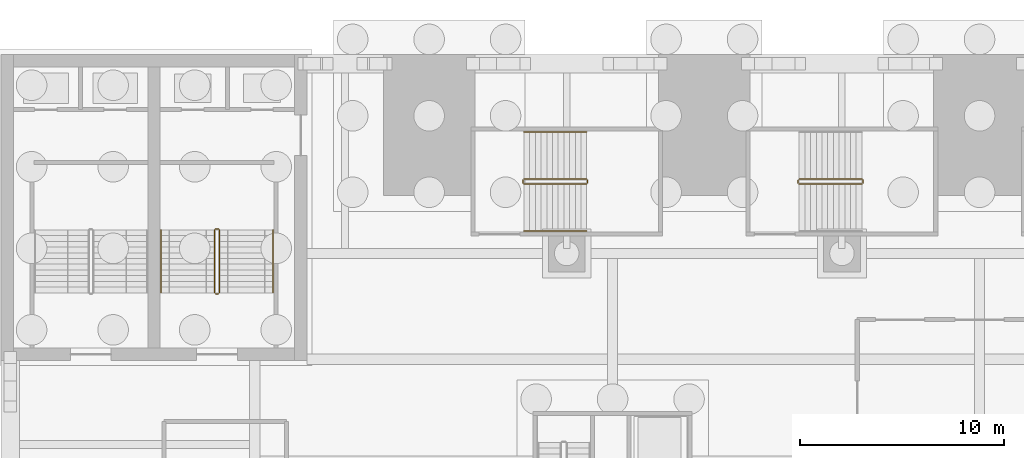
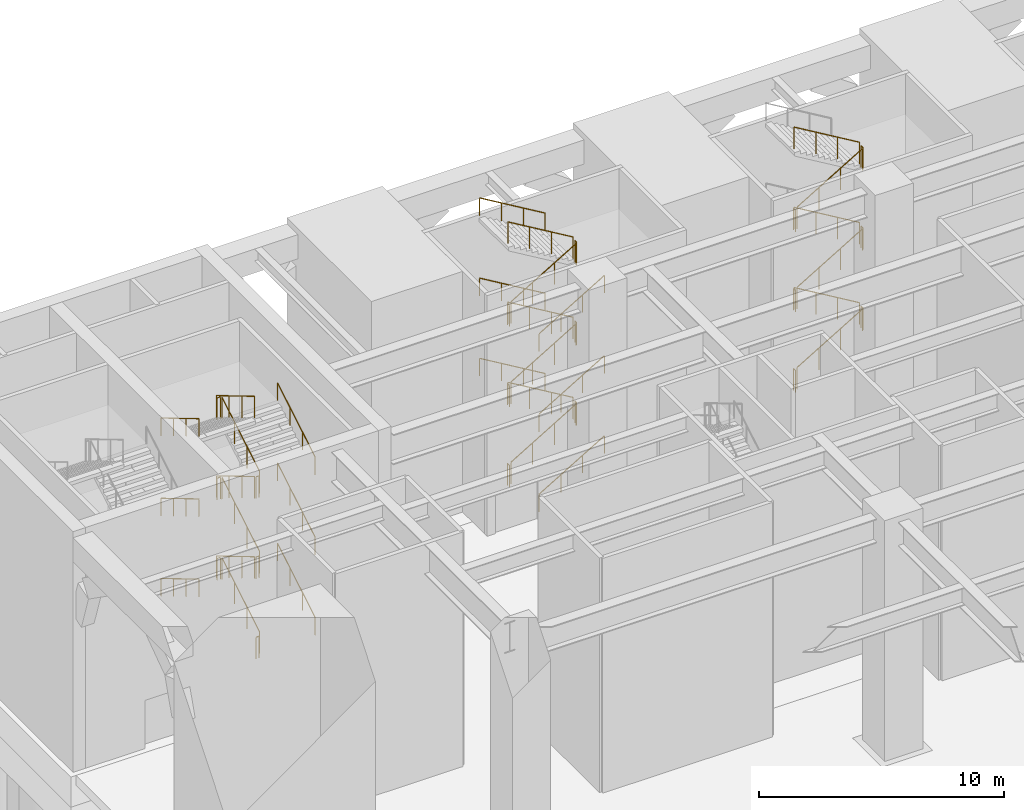
# One storey, part 31 of 34: 5 railings.
"""IFC4 building model written with IfcOpenShell, lengths in metres."""

from ifc_helpers import new_model, si_unit, direction, frame, origin, origin_2d, place, context, subcontext, project, spatial, circle, extrude, material, type_object, element, save


model = new_model("IFC4")

# Units and contexts
model_context = context("Model", 3, precision=1e-05, world=origin(), true_north=direction((0.0, 1.0)))
body_context = subcontext(model_context, "Body", "Model", "MODEL_VIEW")
ifc_project = project(units=[si_unit("LENGTHUNIT", "METRE"), si_unit("AREAUNIT", "SQUARE_METRE"), si_unit("VOLUMEUNIT", "CUBIC_METRE"), si_unit("PLANEANGLEUNIT", "RADIAN"), si_unit("MASSUNIT", "GRAM", prefix="KILO")], contexts=[model_context])

# Site, building, storey
site_placement = place(None, origin())
site = spatial("IfcSite", under=ifc_project, at=site_placement, CompositionType="ELEMENT")
building_placement = place(site_placement, origin())
building = spatial("IfcBuilding", under=site, at=building_placement, Name="Corbelhall Arena Tower", CompositionType="ELEMENT")
storey_placement = place(building_placement, origin())
storey = spatial("IfcBuildingStorey", under=building, at=storey_placement, Name="L00", CompositionType="ELEMENT", Elevation=0.0)

# Railings
ifc_material = material(Name="Stainless steel A4", Category="steel")
railing_type_1 = type_object("IfcRailingType", Name="AR-STAIR-GUARD", PredefinedType="GUARDRAIL", material=ifc_material)
railing_1_placement = place(storey_placement, frame((-22.35009765625, 32.64990234375, 0.166748046875)))
element("IfcRailing", 1, at=railing_1_placement, inside=storey, type_object=railing_type_1, Name="L00 AS9 stair guards", PredefinedType="GUARDRAIL", context=body_context, shape_type="SweptSolid", body=[
    extrude(circle(Radius=0.02392578125, at=origin_2d()), frame((0.0, 0.0, 1.076171875), z_axis=(0.859308565015, 0.0, 0.511457515432), x_axis=(0.0, 1.0, 0.0)), (0.0, 0.0, 1.0), 3.58447265625),
    extrude(circle(Radius=0.02392578125, at=origin_2d()), frame((3.130126953125, 0.050048828125, 2.9091796875), z_axis=(0.0, 1.0, 0.0), x_axis=(-1.0, 0.0, 0.0)), (0.0, 0.0, 1.0), 0.150146484375),
    extrude(circle(Radius=0.02392578125, at=origin_2d()), frame((3.080078125, 0.25, 3.076171875), z_axis=(-0.859308565015, 0.0, 0.511457515432), x_axis=(0.0, -1.0, 0.0)), (0.0, 0.0, 1.0), 3.58447265625),
    extrude(circle(Radius=0.02392578125, at=origin_2d()), frame((-0.0498046875, 0.050048828125, 4.9091796875), z_axis=(0.0, 1.0, 0.0), x_axis=(-1.0, 0.0, 0.0)), (0.0, 0.0, 1.0), 0.150146484375),
    extrude(circle(Radius=0.02392578125, at=origin_2d()), frame((0.0, 0.0, 5.076171875), z_axis=(0.859308565015, 0.0, 0.511457515432), x_axis=(0.0, 1.0, 0.0)), (0.0, 0.0, 1.0), 3.58447265625),
    extrude(circle(Radius=0.02392578125, at=origin_2d()), frame((3.130126953125, 0.050048828125, 6.9091796875), z_axis=(0.0, 1.0, 0.0), x_axis=(-1.0, 0.0, 0.0)), (0.0, 0.0, 1.0), 0.150146484375),
    extrude(circle(Radius=0.02392578125, at=origin_2d()), frame((3.080078125, 0.25, 7.076171875), z_axis=(-0.859308565015, 0.0, 0.511457515432), x_axis=(0.0, -1.0, 0.0)), (0.0, 0.0, 1.0), 3.58447265625),
    extrude(circle(Radius=0.02392578125, at=origin_2d()), frame((-0.0498046875, 0.050048828125, 8.9091796875), z_axis=(0.0, 1.0, 0.0), x_axis=(-1.0, 0.0, 0.0)), (0.0, 0.0, 1.0), 0.150146484375),
    extrude(circle(Radius=0.02392578125, at=origin_2d()), frame((0.0, 0.0, 9.076171875), z_axis=(0.859308565015, 0.0, 0.511457515432), x_axis=(0.0, 1.0, 0.0)), (0.0, 0.0, 1.0), 3.58447265625),
    extrude(circle(Radius=0.02392578125, at=origin_2d()), frame((3.130126953125, 0.050048828125, 10.9091796875), z_axis=(0.0, 1.0, 0.0), x_axis=(-1.0, 0.0, 0.0)), (0.0, 0.0, 1.0), 0.150146484375),
    extrude(circle(Radius=0.02392578125, at=origin_2d()), frame((3.080078125, 0.25, 11.076171875), z_axis=(-0.859308565015, 0.0, 0.511457515432), x_axis=(0.0, -1.0, 0.0)), (0.0, 0.0, 1.0), 3.58447265625),
    extrude(circle(Radius=0.02392578125, at=origin_2d()), frame((-0.0498046875, 0.050048828125, 0.9091796875), z_axis=(0.0, 1.0, 0.0), x_axis=(-1.0, 0.0, 0.0)), (0.0, 0.0, 1.0), 0.150146484375),
    extrude(circle(Radius=0.02099609375, at=origin_2d()), origin(), (0.0, 0.0, 1.0), 1.052001953125),
    extrude(circle(Radius=0.02099609375, at=origin_2d()), frame((1.026611328125, 0.0, 0.611083984375)), (0.0, 0.0, 1.0), 1.052001953125),
    extrude(circle(Radius=0.02099609375, at=origin_2d()), frame((2.053466796875, 0.0, 1.22216796875)), (0.0, 0.0, 1.0), 1.052001953125),
    extrude(circle(Radius=0.02099609375, at=origin_2d()), frame((3.080078125, 0.0, 1.833251953125)), (0.0, 0.0, 1.0), 1.052001953125),
    extrude(circle(Radius=0.02099609375, at=origin_2d()), frame((3.130126953125, 0.050048828125, 1.833251953125)), (0.0, 0.0, 1.0), 1.052001953125),
    extrude(circle(Radius=0.02099609375, at=origin_2d()), frame((3.130126953125, 0.2001953125, 1.833251953125)), (0.0, 0.0, 1.0), 1.052001953125),
    extrude(circle(Radius=0.02099609375, at=origin_2d()), frame((3.080078125, 0.25, 2.0)), (0.0, 0.0, 1.0), 1.052001953125),
    extrude(circle(Radius=0.02099609375, at=origin_2d()), frame((2.053466796875, 0.25, 2.611083984375)), (0.0, 0.0, 1.0), 1.052001953125),
    extrude(circle(Radius=0.02099609375, at=origin_2d()), frame((1.026611328125, 0.25, 3.22216796875)), (0.0, 0.0, 1.0), 1.052001953125),
    extrude(circle(Radius=0.02099609375, at=origin_2d()), frame((0.0, 0.25, 3.833251953125)), (0.0, 0.0, 1.0), 1.052001953125),
    extrude(circle(Radius=0.02099609375, at=origin_2d()), frame((-0.0498046875, 0.050048828125, 3.833251953125)), (0.0, 0.0, 1.0), 1.052001953125),
    extrude(circle(Radius=0.02099609375, at=origin_2d()), frame((-0.0498046875, 0.2001953125, 3.833251953125)), (0.0, 0.0, 1.0), 1.052001953125),
    extrude(circle(Radius=0.02099609375, at=origin_2d()), frame((0.0, 0.0, 4.0)), (0.0, 0.0, 1.0), 1.052001953125),
    extrude(circle(Radius=0.02099609375, at=origin_2d()), frame((1.026611328125, 0.0, 4.611083984375)), (0.0, 0.0, 1.0), 1.052001953125),
    extrude(circle(Radius=0.02099609375, at=origin_2d()), frame((2.053466796875, 0.0, 5.22216796875)), (0.0, 0.0, 1.0), 1.052001953125),
    extrude(circle(Radius=0.02099609375, at=origin_2d()), frame((3.080078125, 0.0, 5.833251953125)), (0.0, 0.0, 1.0), 1.052001953125),
    extrude(circle(Radius=0.02099609375, at=origin_2d()), frame((3.130126953125, 0.050048828125, 5.833251953125)), (0.0, 0.0, 1.0), 1.052001953125),
    extrude(circle(Radius=0.02099609375, at=origin_2d()), frame((3.130126953125, 0.2001953125, 5.833251953125)), (0.0, 0.0, 1.0), 1.052001953125),
    extrude(circle(Radius=0.02099609375, at=origin_2d()), frame((3.080078125, 0.25, 6.0)), (0.0, 0.0, 1.0), 1.052001953125),
    extrude(circle(Radius=0.02099609375, at=origin_2d()), frame((2.053466796875, 0.25, 6.611083984375)), (0.0, 0.0, 1.0), 1.052001953125),
    extrude(circle(Radius=0.02099609375, at=origin_2d()), frame((1.026611328125, 0.25, 7.22216796875)), (0.0, 0.0, 1.0), 1.052001953125),
    extrude(circle(Radius=0.02099609375, at=origin_2d()), frame((0.0, 0.25, 7.833251953125)), (0.0, 0.0, 1.0), 1.052001953125),
    extrude(circle(Radius=0.02099609375, at=origin_2d()), frame((-0.0498046875, 0.050048828125, 7.833251953125)), (0.0, 0.0, 1.0), 1.052001953125),
    extrude(circle(Radius=0.02099609375, at=origin_2d()), frame((-0.0498046875, 0.2001953125, 7.833251953125)), (0.0, 0.0, 1.0), 1.052001953125),
    extrude(circle(Radius=0.02099609375, at=origin_2d()), frame((0.0, 0.0, 8.0)), (0.0, 0.0, 1.0), 1.052001953125),
    extrude(circle(Radius=0.02099609375, at=origin_2d()), frame((1.026611328125, 0.0, 8.611083984375)), (0.0, 0.0, 1.0), 1.052001953125),
    extrude(circle(Radius=0.02099609375, at=origin_2d()), frame((2.053466796875, 0.0, 9.22216796875)), (0.0, 0.0, 1.0), 1.052001953125),
    extrude(circle(Radius=0.02099609375, at=origin_2d()), frame((3.080078125, 0.0, 9.833251953125)), (0.0, 0.0, 1.0), 1.052001953125),
    extrude(circle(Radius=0.02099609375, at=origin_2d()), frame((3.130126953125, 0.050048828125, 9.833251953125)), (0.0, 0.0, 1.0), 1.052001953125),
    extrude(circle(Radius=0.02099609375, at=origin_2d()), frame((3.130126953125, 0.2001953125, 9.833251953125)), (0.0, 0.0, 1.0), 1.052001953125),
    extrude(circle(Radius=0.02099609375, at=origin_2d()), frame((3.080078125, 0.25, 10.0)), (0.0, 0.0, 1.0), 1.052001953125),
    extrude(circle(Radius=0.02099609375, at=origin_2d()), frame((2.053466796875, 0.25, 10.611083984375)), (0.0, 0.0, 1.0), 1.052001953125),
    extrude(circle(Radius=0.02099609375, at=origin_2d()), frame((1.026611328125, 0.25, 11.22216796875)), (0.0, 0.0, 1.0), 1.052001953125),
    extrude(circle(Radius=0.02099609375, at=origin_2d()), frame((0.0, 0.25, 11.833251953125)), (0.0, 0.0, 1.0), 1.052001953125),
    extrude(circle(Radius=0.02099609375, at=origin_2d()), frame((-0.0498046875, 0.050048828125, -0.166748046875)), (0.0, 0.0, 1.0), 1.052001953125),
    extrude(circle(Radius=0.02099609375, at=origin_2d()), frame((-0.0498046875, 0.2001953125, -0.166748046875)), (0.0, 0.0, 1.0), 1.052001953125),
])
railing_2_placement = place(storey_placement, frame((-8.85009765625, 32.64990234375, 0.166748046875)))
element("IfcRailing", 2, at=railing_2_placement, inside=storey, type_object=railing_type_1, Name="L00 AS10 stair guards", PredefinedType="GUARDRAIL", context=body_context, shape_type="SweptSolid", body=[
    extrude(circle(Radius=0.02392578125, at=origin_2d()), frame((0.0, 0.0, 1.076171875), z_axis=(0.859308565015, 0.0, 0.511457515432), x_axis=(0.0, 1.0, 0.0)), (0.0, 0.0, 1.0), 3.58447265625),
    extrude(circle(Radius=0.02392578125, at=origin_2d()), frame((3.130126953125, 0.050048828125, 2.9091796875), z_axis=(0.0, 1.0, 0.0), x_axis=(-1.0, 0.0, 0.0)), (0.0, 0.0, 1.0), 0.150146484375),
    extrude(circle(Radius=0.02392578125, at=origin_2d()), frame((3.080078125, 0.25, 3.076171875), z_axis=(-0.859308565015, 0.0, 0.511457515432), x_axis=(0.0, -1.0, 0.0)), (0.0, 0.0, 1.0), 3.58447265625),
    extrude(circle(Radius=0.02392578125, at=origin_2d()), frame((-0.0498046875, 0.050048828125, 4.9091796875), z_axis=(0.0, 1.0, 0.0), x_axis=(-1.0, 0.0, 0.0)), (0.0, 0.0, 1.0), 0.150146484375),
    extrude(circle(Radius=0.02392578125, at=origin_2d()), frame((0.0, 0.0, 5.076171875), z_axis=(0.859308565015, 0.0, 0.511457515432), x_axis=(0.0, 1.0, 0.0)), (0.0, 0.0, 1.0), 3.58447265625),
    extrude(circle(Radius=0.02392578125, at=origin_2d()), frame((3.130126953125, 0.050048828125, 6.9091796875), z_axis=(0.0, 1.0, 0.0), x_axis=(-1.0, 0.0, 0.0)), (0.0, 0.0, 1.0), 0.150146484375),
    extrude(circle(Radius=0.02392578125, at=origin_2d()), frame((3.080078125, 0.25, 7.076171875), z_axis=(-0.859308565015, 0.0, 0.511457515432), x_axis=(0.0, -1.0, 0.0)), (0.0, 0.0, 1.0), 3.58447265625),
    extrude(circle(Radius=0.02392578125, at=origin_2d()), frame((-0.0498046875, 0.050048828125, 8.9091796875), z_axis=(0.0, 1.0, 0.0), x_axis=(-1.0, 0.0, 0.0)), (0.0, 0.0, 1.0), 0.150146484375),
    extrude(circle(Radius=0.02392578125, at=origin_2d()), frame((0.0, 0.0, 9.076171875), z_axis=(0.859308565015, 0.0, 0.511457515432), x_axis=(0.0, 1.0, 0.0)), (0.0, 0.0, 1.0), 3.58447265625),
    extrude(circle(Radius=0.02392578125, at=origin_2d()), frame((3.130126953125, 0.050048828125, 10.9091796875), z_axis=(0.0, 1.0, 0.0), x_axis=(-1.0, 0.0, 0.0)), (0.0, 0.0, 1.0), 0.150146484375),
    extrude(circle(Radius=0.02392578125, at=origin_2d()), frame((3.080078125, 0.25, 11.076171875), z_axis=(-0.859308565015, 0.0, 0.511457515432), x_axis=(0.0, -1.0, 0.0)), (0.0, 0.0, 1.0), 3.58447265625),
    extrude(circle(Radius=0.02392578125, at=origin_2d()), frame((-0.0498046875, 0.050048828125, 0.9091796875), z_axis=(0.0, 1.0, 0.0), x_axis=(-1.0, 0.0, 0.0)), (0.0, 0.0, 1.0), 0.150146484375),
    extrude(circle(Radius=0.02099609375, at=origin_2d()), origin(), (0.0, 0.0, 1.0), 1.052001953125),
    extrude(circle(Radius=0.02099609375, at=origin_2d()), frame((1.026611328125, 0.0, 0.611083984375)), (0.0, 0.0, 1.0), 1.052001953125),
    extrude(circle(Radius=0.02099609375, at=origin_2d()), frame((2.053466796875, 0.0, 1.22216796875)), (0.0, 0.0, 1.0), 1.052001953125),
    extrude(circle(Radius=0.02099609375, at=origin_2d()), frame((3.080078125, 0.0, 1.833251953125)), (0.0, 0.0, 1.0), 1.052001953125),
    extrude(circle(Radius=0.02099609375, at=origin_2d()), frame((3.130126953125, 0.050048828125, 1.833251953125)), (0.0, 0.0, 1.0), 1.052001953125),
    extrude(circle(Radius=0.02099609375, at=origin_2d()), frame((3.130126953125, 0.2001953125, 1.833251953125)), (0.0, 0.0, 1.0), 1.052001953125),
    extrude(circle(Radius=0.02099609375, at=origin_2d()), frame((3.080078125, 0.25, 2.0)), (0.0, 0.0, 1.0), 1.052001953125),
    extrude(circle(Radius=0.02099609375, at=origin_2d()), frame((2.053466796875, 0.25, 2.611083984375)), (0.0, 0.0, 1.0), 1.052001953125),
    extrude(circle(Radius=0.02099609375, at=origin_2d()), frame((1.026611328125, 0.25, 3.22216796875)), (0.0, 0.0, 1.0), 1.052001953125),
    extrude(circle(Radius=0.02099609375, at=origin_2d()), frame((0.0, 0.25, 3.833251953125)), (0.0, 0.0, 1.0), 1.052001953125),
    extrude(circle(Radius=0.02099609375, at=origin_2d()), frame((-0.0498046875, 0.050048828125, 3.833251953125)), (0.0, 0.0, 1.0), 1.052001953125),
    extrude(circle(Radius=0.02099609375, at=origin_2d()), frame((-0.0498046875, 0.2001953125, 3.833251953125)), (0.0, 0.0, 1.0), 1.052001953125),
    extrude(circle(Radius=0.02099609375, at=origin_2d()), frame((0.0, 0.0, 4.0)), (0.0, 0.0, 1.0), 1.052001953125),
    extrude(circle(Radius=0.02099609375, at=origin_2d()), frame((1.026611328125, 0.0, 4.611083984375)), (0.0, 0.0, 1.0), 1.052001953125),
    extrude(circle(Radius=0.02099609375, at=origin_2d()), frame((2.053466796875, 0.0, 5.22216796875)), (0.0, 0.0, 1.0), 1.052001953125),
    extrude(circle(Radius=0.02099609375, at=origin_2d()), frame((3.080078125, 0.0, 5.833251953125)), (0.0, 0.0, 1.0), 1.052001953125),
    extrude(circle(Radius=0.02099609375, at=origin_2d()), frame((3.130126953125, 0.050048828125, 5.833251953125)), (0.0, 0.0, 1.0), 1.052001953125),
    extrude(circle(Radius=0.02099609375, at=origin_2d()), frame((3.130126953125, 0.2001953125, 5.833251953125)), (0.0, 0.0, 1.0), 1.052001953125),
    extrude(circle(Radius=0.02099609375, at=origin_2d()), frame((3.080078125, 0.25, 6.0)), (0.0, 0.0, 1.0), 1.052001953125),
    extrude(circle(Radius=0.02099609375, at=origin_2d()), frame((2.053466796875, 0.25, 6.611083984375)), (0.0, 0.0, 1.0), 1.052001953125),
    extrude(circle(Radius=0.02099609375, at=origin_2d()), frame((1.026611328125, 0.25, 7.22216796875)), (0.0, 0.0, 1.0), 1.052001953125),
    extrude(circle(Radius=0.02099609375, at=origin_2d()), frame((0.0, 0.25, 7.833251953125)), (0.0, 0.0, 1.0), 1.052001953125),
    extrude(circle(Radius=0.02099609375, at=origin_2d()), frame((-0.0498046875, 0.050048828125, 7.833251953125)), (0.0, 0.0, 1.0), 1.052001953125),
    extrude(circle(Radius=0.02099609375, at=origin_2d()), frame((-0.0498046875, 0.2001953125, 7.833251953125)), (0.0, 0.0, 1.0), 1.052001953125),
    extrude(circle(Radius=0.02099609375, at=origin_2d()), frame((0.0, 0.0, 8.0)), (0.0, 0.0, 1.0), 1.052001953125),
    extrude(circle(Radius=0.02099609375, at=origin_2d()), frame((1.026611328125, 0.0, 8.611083984375)), (0.0, 0.0, 1.0), 1.052001953125),
    extrude(circle(Radius=0.02099609375, at=origin_2d()), frame((2.053466796875, 0.0, 9.22216796875)), (0.0, 0.0, 1.0), 1.052001953125),
    extrude(circle(Radius=0.02099609375, at=origin_2d()), frame((3.080078125, 0.0, 9.833251953125)), (0.0, 0.0, 1.0), 1.052001953125),
    extrude(circle(Radius=0.02099609375, at=origin_2d()), frame((3.130126953125, 0.050048828125, 9.833251953125)), (0.0, 0.0, 1.0), 1.052001953125),
    extrude(circle(Radius=0.02099609375, at=origin_2d()), frame((3.130126953125, 0.2001953125, 9.833251953125)), (0.0, 0.0, 1.0), 1.052001953125),
    extrude(circle(Radius=0.02099609375, at=origin_2d()), frame((3.080078125, 0.25, 10.0)), (0.0, 0.0, 1.0), 1.052001953125),
    extrude(circle(Radius=0.02099609375, at=origin_2d()), frame((2.053466796875, 0.25, 10.611083984375)), (0.0, 0.0, 1.0), 1.052001953125),
    extrude(circle(Radius=0.02099609375, at=origin_2d()), frame((1.026611328125, 0.25, 11.22216796875)), (0.0, 0.0, 1.0), 1.052001953125),
    extrude(circle(Radius=0.02099609375, at=origin_2d()), frame((0.0, 0.25, 11.833251953125)), (0.0, 0.0, 1.0), 1.052001953125),
    extrude(circle(Radius=0.02099609375, at=origin_2d()), frame((-0.0498046875, 0.050048828125, -0.166748046875)), (0.0, 0.0, 1.0), 1.052001953125),
    extrude(circle(Radius=0.02099609375, at=origin_2d()), frame((-0.0498046875, 0.2001953125, -0.166748046875)), (0.0, 0.0, 1.0), 1.052001953125),
])
railing_3_placement = place(storey_placement, frame((-37.280029296875, 27.320068359375, 0.166748046875)))
element("IfcRailing", 3, at=railing_3_placement, inside=storey, type_object=railing_type_1, Name="L00 AS3 stair guards", PredefinedType="GUARDRAIL", context=body_context, shape_type="SweptSolid", body=[
    extrude(circle(Radius=0.02392578125, at=origin_2d()), frame((0.0, 0.0, 1.076171875), z_axis=(0.0, 0.859290745958, 0.51148745235), x_axis=(-1.0, 0.0, 0.0)), (0.0, 0.0, 1.0), 3.584228515625),
    extrude(circle(Radius=0.02392578125, at=origin_2d()), frame((-0.050048828125, 3.1298828125, 2.9091796875), z_axis=(-1.0, 0.0, 0.0), x_axis=(0.0, -1.0, 0.0)), (0.0, 0.0, 1.0), 0.14990234375),
    extrude(circle(Radius=0.02392578125, at=origin_2d()), frame((-0.25, 3.079833984375, 3.076171875), z_axis=(0.0, -0.859290745958, 0.51148745235), x_axis=(1.0, 0.0, 0.0)), (0.0, 0.0, 1.0), 3.584228515625),
    extrude(circle(Radius=0.02392578125, at=origin_2d()), frame((-0.050048828125, -0.050048828125, 4.9091796875), z_axis=(-1.0, 0.0, 0.0), x_axis=(0.0, -1.0, 0.0)), (0.0, 0.0, 1.0), 0.14990234375),
    extrude(circle(Radius=0.02392578125, at=origin_2d()), frame((0.0, 0.0, 5.076171875), z_axis=(0.0, 0.859290745958, 0.51148745235), x_axis=(-1.0, 0.0, 0.0)), (0.0, 0.0, 1.0), 3.584228515625),
    extrude(circle(Radius=0.02392578125, at=origin_2d()), frame((-0.050048828125, 3.1298828125, 6.9091796875), z_axis=(-1.0, 0.0, 0.0), x_axis=(0.0, -1.0, 0.0)), (0.0, 0.0, 1.0), 0.14990234375),
    extrude(circle(Radius=0.02392578125, at=origin_2d()), frame((-0.25, 3.079833984375, 7.076171875), z_axis=(0.0, -0.859290745958, 0.51148745235), x_axis=(1.0, 0.0, 0.0)), (0.0, 0.0, 1.0), 3.584228515625),
    extrude(circle(Radius=0.02392578125, at=origin_2d()), frame((-0.050048828125, -0.050048828125, 8.9091796875), z_axis=(-1.0, 0.0, 0.0), x_axis=(0.0, -1.0, 0.0)), (0.0, 0.0, 1.0), 0.14990234375),
    extrude(circle(Radius=0.02392578125, at=origin_2d()), frame((0.0, 0.0, 9.076171875), z_axis=(0.0, 0.859290745958, 0.51148745235), x_axis=(-1.0, 0.0, 0.0)), (0.0, 0.0, 1.0), 3.584228515625),
    extrude(circle(Radius=0.02392578125, at=origin_2d()), frame((-0.050048828125, 3.1298828125, 10.9091796875), z_axis=(-1.0, 0.0, 0.0), x_axis=(0.0, -1.0, 0.0)), (0.0, 0.0, 1.0), 0.14990234375),
    extrude(circle(Radius=0.02392578125, at=origin_2d()), frame((-0.25, 3.079833984375, 11.076171875), z_axis=(0.0, -0.859290745958, 0.51148745235), x_axis=(1.0, 0.0, 0.0)), (0.0, 0.0, 1.0), 3.584228515625),
    extrude(circle(Radius=0.02392578125, at=origin_2d()), frame((-0.050048828125, -0.050048828125, 0.9091796875), z_axis=(-1.0, 0.0, 0.0), x_axis=(0.0, -1.0, 0.0)), (0.0, 0.0, 1.0), 0.14990234375),
    extrude(circle(Radius=0.02099609375, at=origin_2d()), origin(), (0.0, 0.0, 1.0), 1.052001953125),
    extrude(circle(Radius=0.02099609375, at=origin_2d()), frame((0.0, 1.026611328125, 0.611083984375)), (0.0, 0.0, 1.0), 1.052001953125),
    extrude(circle(Radius=0.02099609375, at=origin_2d()), frame((0.0, 2.05322265625, 1.22216796875)), (0.0, 0.0, 1.0), 1.052001953125),
    extrude(circle(Radius=0.02099609375, at=origin_2d()), frame((0.0, 3.079833984375, 1.833251953125)), (0.0, 0.0, 1.0), 1.052001953125),
    extrude(circle(Radius=0.02099609375, at=origin_2d()), frame((-0.050048828125, 3.1298828125, 1.833251953125)), (0.0, 0.0, 1.0), 1.052001953125),
    extrude(circle(Radius=0.02099609375, at=origin_2d()), frame((-0.199951171875, 3.1298828125, 1.833251953125)), (0.0, 0.0, 1.0), 1.052001953125),
    extrude(circle(Radius=0.02099609375, at=origin_2d()), frame((-0.25, 3.079833984375, 2.0)), (0.0, 0.0, 1.0), 1.052001953125),
    extrude(circle(Radius=0.02099609375, at=origin_2d()), frame((-0.25, 2.05322265625, 2.611083984375)), (0.0, 0.0, 1.0), 1.052001953125),
    extrude(circle(Radius=0.02099609375, at=origin_2d()), frame((-0.25, 1.026611328125, 3.22216796875)), (0.0, 0.0, 1.0), 1.052001953125),
    extrude(circle(Radius=0.02099609375, at=origin_2d()), frame((-0.25, 0.0, 3.833251953125)), (0.0, 0.0, 1.0), 1.052001953125),
    extrude(circle(Radius=0.02099609375, at=origin_2d()), frame((-0.050048828125, -0.050048828125, 3.833251953125)), (0.0, 0.0, 1.0), 1.052001953125),
    extrude(circle(Radius=0.02099609375, at=origin_2d()), frame((-0.199951171875, -0.050048828125, 3.833251953125)), (0.0, 0.0, 1.0), 1.052001953125),
    extrude(circle(Radius=0.02099609375, at=origin_2d()), frame((0.0, 0.0, 4.0)), (0.0, 0.0, 1.0), 1.052001953125),
    extrude(circle(Radius=0.02099609375, at=origin_2d()), frame((0.0, 1.026611328125, 4.611083984375)), (0.0, 0.0, 1.0), 1.052001953125),
    extrude(circle(Radius=0.02099609375, at=origin_2d()), frame((0.0, 2.05322265625, 5.22216796875)), (0.0, 0.0, 1.0), 1.052001953125),
    extrude(circle(Radius=0.02099609375, at=origin_2d()), frame((0.0, 3.079833984375, 5.833251953125)), (0.0, 0.0, 1.0), 1.052001953125),
    extrude(circle(Radius=0.02099609375, at=origin_2d()), frame((-0.050048828125, 3.1298828125, 5.833251953125)), (0.0, 0.0, 1.0), 1.052001953125),
    extrude(circle(Radius=0.02099609375, at=origin_2d()), frame((-0.199951171875, 3.1298828125, 5.833251953125)), (0.0, 0.0, 1.0), 1.052001953125),
    extrude(circle(Radius=0.02099609375, at=origin_2d()), frame((-0.25, 3.079833984375, 6.0)), (0.0, 0.0, 1.0), 1.052001953125),
    extrude(circle(Radius=0.02099609375, at=origin_2d()), frame((-0.25, 2.05322265625, 6.611083984375)), (0.0, 0.0, 1.0), 1.052001953125),
    extrude(circle(Radius=0.02099609375, at=origin_2d()), frame((-0.25, 1.026611328125, 7.22216796875)), (0.0, 0.0, 1.0), 1.052001953125),
    extrude(circle(Radius=0.02099609375, at=origin_2d()), frame((-0.25, 0.0, 7.833251953125)), (0.0, 0.0, 1.0), 1.052001953125),
    extrude(circle(Radius=0.02099609375, at=origin_2d()), frame((-0.050048828125, -0.050048828125, 7.833251953125)), (0.0, 0.0, 1.0), 1.052001953125),
    extrude(circle(Radius=0.02099609375, at=origin_2d()), frame((-0.199951171875, -0.050048828125, 7.833251953125)), (0.0, 0.0, 1.0), 1.052001953125),
    extrude(circle(Radius=0.02099609375, at=origin_2d()), frame((0.0, 0.0, 8.0)), (0.0, 0.0, 1.0), 1.052001953125),
    extrude(circle(Radius=0.02099609375, at=origin_2d()), frame((0.0, 1.026611328125, 8.611083984375)), (0.0, 0.0, 1.0), 1.052001953125),
    extrude(circle(Radius=0.02099609375, at=origin_2d()), frame((0.0, 2.05322265625, 9.22216796875)), (0.0, 0.0, 1.0), 1.052001953125),
    extrude(circle(Radius=0.02099609375, at=origin_2d()), frame((0.0, 3.079833984375, 9.833251953125)), (0.0, 0.0, 1.0), 1.052001953125),
    extrude(circle(Radius=0.02099609375, at=origin_2d()), frame((-0.050048828125, 3.1298828125, 9.833251953125)), (0.0, 0.0, 1.0), 1.052001953125),
    extrude(circle(Radius=0.02099609375, at=origin_2d()), frame((-0.199951171875, 3.1298828125, 9.833251953125)), (0.0, 0.0, 1.0), 1.052001953125),
    extrude(circle(Radius=0.02099609375, at=origin_2d()), frame((-0.25, 3.079833984375, 10.0)), (0.0, 0.0, 1.0), 1.052001953125),
    extrude(circle(Radius=0.02099609375, at=origin_2d()), frame((-0.25, 2.05322265625, 10.611083984375)), (0.0, 0.0, 1.0), 1.052001953125),
    extrude(circle(Radius=0.02099609375, at=origin_2d()), frame((-0.25, 1.026611328125, 11.22216796875)), (0.0, 0.0, 1.0), 1.052001953125),
    extrude(circle(Radius=0.02099609375, at=origin_2d()), frame((-0.25, 0.0, 11.833251953125)), (0.0, 0.0, 1.0), 1.052001953125),
    extrude(circle(Radius=0.02099609375, at=origin_2d()), frame((-0.050048828125, -0.050048828125, -0.166748046875)), (0.0, 0.0, 1.0), 1.052001953125),
    extrude(circle(Radius=0.02099609375, at=origin_2d()), frame((-0.199951171875, -0.050048828125, -0.166748046875)), (0.0, 0.0, 1.0), 1.052001953125),
])
railing_type_2 = type_object("IfcRailingType", Name="AR-STAIR-HANDRAIL", PredefinedType="HANDRAIL", material=ifc_material)
railing_4_placement = place(storey_placement, frame((-22.35009765625, 30.35009765625, 0.166748046875)))
element("IfcRailing", 4, at=railing_4_placement, inside=storey, type_object=railing_type_2, Name="L00 AS9 stair handrails", PredefinedType="HANDRAIL", context=body_context, shape_type="SweptSolid", body=[
    extrude(circle(Radius=0.02392578125, at=origin_2d()), frame((0.0, 0.0, 0.8759765625), z_axis=(0.859308565015, 0.0, 0.511457515432), x_axis=(0.0, 1.0, 0.0)), (0.0, 0.0, 1.0), 3.58447265625),
    extrude(circle(Radius=0.02392578125, at=origin_2d()), frame((3.080078125, 4.849853515625, 2.8759765625), z_axis=(-0.859308565015, 0.0, 0.511457515432), x_axis=(0.0, -1.0, 0.0)), (0.0, 0.0, 1.0), 3.58447265625),
    extrude(circle(Radius=0.02392578125, at=origin_2d()), frame((0.0, 0.0, 4.8759765625), z_axis=(0.859308565015, 0.0, 0.511457515432), x_axis=(0.0, 1.0, 0.0)), (0.0, 0.0, 1.0), 3.58447265625),
    extrude(circle(Radius=0.02392578125, at=origin_2d()), frame((3.080078125, 4.849853515625, 6.8759765625), z_axis=(-0.859308565015, 0.0, 0.511457515432), x_axis=(0.0, -1.0, 0.0)), (0.0, 0.0, 1.0), 3.58447265625),
    extrude(circle(Radius=0.02392578125, at=origin_2d()), frame((0.0, 0.0, 8.8759765625), z_axis=(0.859308565015, 0.0, 0.511457515432), x_axis=(0.0, 1.0, 0.0)), (0.0, 0.0, 1.0), 3.58447265625),
    extrude(circle(Radius=0.02392578125, at=origin_2d()), frame((3.080078125, 4.849853515625, 10.8759765625), z_axis=(-0.859308565015, 0.0, 0.511457515432), x_axis=(0.0, -1.0, 0.0)), (0.0, 0.0, 1.0), 3.58447265625),
    extrude(circle(Radius=0.02099609375, at=origin_2d()), origin(), (0.0, 0.0, 1.0), 0.851806640625),
    extrude(circle(Radius=0.02099609375, at=origin_2d()), frame((1.026611328125, 0.0, 0.611083984375)), (0.0, 0.0, 1.0), 0.851806640625),
    extrude(circle(Radius=0.02099609375, at=origin_2d()), frame((2.053466796875, 0.0, 1.22216796875)), (0.0, 0.0, 1.0), 0.851806640625),
    extrude(circle(Radius=0.02099609375, at=origin_2d()), frame((3.080078125, 0.0, 1.833251953125)), (0.0, 0.0, 1.0), 0.851806640625),
    extrude(circle(Radius=0.02099609375, at=origin_2d()), frame((3.080078125, 4.849853515625, 2.0)), (0.0, 0.0, 1.0), 0.851806640625),
    extrude(circle(Radius=0.02099609375, at=origin_2d()), frame((2.053466796875, 4.849853515625, 2.611083984375)), (0.0, 0.0, 1.0), 0.851806640625),
    extrude(circle(Radius=0.02099609375, at=origin_2d()), frame((1.026611328125, 4.849853515625, 3.22216796875)), (0.0, 0.0, 1.0), 0.851806640625),
    extrude(circle(Radius=0.02099609375, at=origin_2d()), frame((0.0, 4.849853515625, 3.833251953125)), (0.0, 0.0, 1.0), 0.851806640625),
    extrude(circle(Radius=0.02099609375, at=origin_2d()), frame((0.0, 0.0, 4.0)), (0.0, 0.0, 1.0), 0.851806640625),
    extrude(circle(Radius=0.02099609375, at=origin_2d()), frame((1.026611328125, 0.0, 4.611083984375)), (0.0, 0.0, 1.0), 0.851806640625),
    extrude(circle(Radius=0.02099609375, at=origin_2d()), frame((2.053466796875, 0.0, 5.22216796875)), (0.0, 0.0, 1.0), 0.851806640625),
    extrude(circle(Radius=0.02099609375, at=origin_2d()), frame((3.080078125, 0.0, 5.833251953125)), (0.0, 0.0, 1.0), 0.851806640625),
    extrude(circle(Radius=0.02099609375, at=origin_2d()), frame((3.080078125, 4.849853515625, 6.0)), (0.0, 0.0, 1.0), 0.851806640625),
    extrude(circle(Radius=0.02099609375, at=origin_2d()), frame((2.053466796875, 4.849853515625, 6.611083984375)), (0.0, 0.0, 1.0), 0.851806640625),
    extrude(circle(Radius=0.02099609375, at=origin_2d()), frame((1.026611328125, 4.849853515625, 7.22216796875)), (0.0, 0.0, 1.0), 0.851806640625),
    extrude(circle(Radius=0.02099609375, at=origin_2d()), frame((0.0, 4.849853515625, 7.833251953125)), (0.0, 0.0, 1.0), 0.851806640625),
    extrude(circle(Radius=0.02099609375, at=origin_2d()), frame((0.0, 0.0, 8.0)), (0.0, 0.0, 1.0), 0.851806640625),
    extrude(circle(Radius=0.02099609375, at=origin_2d()), frame((1.026611328125, 0.0, 8.611083984375)), (0.0, 0.0, 1.0), 0.851806640625),
    extrude(circle(Radius=0.02099609375, at=origin_2d()), frame((2.053466796875, 0.0, 9.22216796875)), (0.0, 0.0, 1.0), 0.851806640625),
    extrude(circle(Radius=0.02099609375, at=origin_2d()), frame((3.080078125, 0.0, 9.833251953125)), (0.0, 0.0, 1.0), 0.851806640625),
    extrude(circle(Radius=0.02099609375, at=origin_2d()), frame((3.080078125, 4.849853515625, 10.0)), (0.0, 0.0, 1.0), 0.851806640625),
    extrude(circle(Radius=0.02099609375, at=origin_2d()), frame((2.053466796875, 4.849853515625, 10.611083984375)), (0.0, 0.0, 1.0), 0.851806640625),
    extrude(circle(Radius=0.02099609375, at=origin_2d()), frame((1.026611328125, 4.849853515625, 11.22216796875)), (0.0, 0.0, 1.0), 0.851806640625),
    extrude(circle(Radius=0.02099609375, at=origin_2d()), frame((0.0, 4.849853515625, 11.833251953125)), (0.0, 0.0, 1.0), 0.851806640625),
])
railing_5_placement = place(storey_placement, frame((-34.659912109375, 27.320068359375, 0.166748046875)))
element("IfcRailing", 5, at=railing_5_placement, inside=storey, type_object=railing_type_2, Name="L00 AS3 stair handrails", PredefinedType="HANDRAIL", context=body_context, shape_type="SweptSolid", body=[
    extrude(circle(Radius=0.02392578125, at=origin_2d()), frame((0.0, 0.0, 0.8759765625), z_axis=(0.0, 0.859290745958, 0.51148745235), x_axis=(-1.0, 0.0, 0.0)), (0.0, 0.0, 1.0), 3.584228515625),
    extrude(circle(Radius=0.02392578125, at=origin_2d()), frame((-5.489990234375, 3.079833984375, 2.8759765625), z_axis=(0.0, -0.859290745958, 0.51148745235), x_axis=(1.0, 0.0, 0.0)), (0.0, 0.0, 1.0), 3.584228515625),
    extrude(circle(Radius=0.02392578125, at=origin_2d()), frame((0.0, 0.0, 4.8759765625), z_axis=(0.0, 0.859290745958, 0.51148745235), x_axis=(-1.0, 0.0, 0.0)), (0.0, 0.0, 1.0), 3.584228515625),
    extrude(circle(Radius=0.02392578125, at=origin_2d()), frame((-5.489990234375, 3.079833984375, 6.8759765625), z_axis=(0.0, -0.859290745958, 0.51148745235), x_axis=(1.0, 0.0, 0.0)), (0.0, 0.0, 1.0), 3.584228515625),
    extrude(circle(Radius=0.02392578125, at=origin_2d()), frame((0.0, 0.0, 8.8759765625), z_axis=(0.0, 0.859290745958, 0.51148745235), x_axis=(-1.0, 0.0, 0.0)), (0.0, 0.0, 1.0), 3.584228515625),
    extrude(circle(Radius=0.02392578125, at=origin_2d()), frame((-5.489990234375, 3.079833984375, 10.8759765625), z_axis=(0.0, -0.859290745958, 0.51148745235), x_axis=(1.0, 0.0, 0.0)), (0.0, 0.0, 1.0), 3.584228515625),
    extrude(circle(Radius=0.02099609375, at=origin_2d()), origin(), (0.0, 0.0, 1.0), 0.851806640625),
    extrude(circle(Radius=0.02099609375, at=origin_2d()), frame((0.0, 1.026611328125, 0.611083984375)), (0.0, 0.0, 1.0), 0.851806640625),
    extrude(circle(Radius=0.02099609375, at=origin_2d()), frame((0.0, 2.05322265625, 1.22216796875)), (0.0, 0.0, 1.0), 0.851806640625),
    extrude(circle(Radius=0.02099609375, at=origin_2d()), frame((0.0, 3.079833984375, 1.833251953125)), (0.0, 0.0, 1.0), 0.851806640625),
    extrude(circle(Radius=0.02099609375, at=origin_2d()), frame((-5.489990234375, 3.079833984375, 2.0)), (0.0, 0.0, 1.0), 0.851806640625),
    extrude(circle(Radius=0.02099609375, at=origin_2d()), frame((-5.489990234375, 2.05322265625, 2.611083984375)), (0.0, 0.0, 1.0), 0.851806640625),
    extrude(circle(Radius=0.02099609375, at=origin_2d()), frame((-5.489990234375, 1.026611328125, 3.22216796875)), (0.0, 0.0, 1.0), 0.851806640625),
    extrude(circle(Radius=0.02099609375, at=origin_2d()), frame((-5.489990234375, 0.0, 3.833251953125)), (0.0, 0.0, 1.0), 0.851806640625),
    extrude(circle(Radius=0.02099609375, at=origin_2d()), frame((0.0, 0.0, 4.0)), (0.0, 0.0, 1.0), 0.851806640625),
    extrude(circle(Radius=0.02099609375, at=origin_2d()), frame((0.0, 1.026611328125, 4.611083984375)), (0.0, 0.0, 1.0), 0.851806640625),
    extrude(circle(Radius=0.02099609375, at=origin_2d()), frame((0.0, 2.05322265625, 5.22216796875)), (0.0, 0.0, 1.0), 0.851806640625),
    extrude(circle(Radius=0.02099609375, at=origin_2d()), frame((0.0, 3.079833984375, 5.833251953125)), (0.0, 0.0, 1.0), 0.851806640625),
    extrude(circle(Radius=0.02099609375, at=origin_2d()), frame((-5.489990234375, 3.079833984375, 6.0)), (0.0, 0.0, 1.0), 0.851806640625),
    extrude(circle(Radius=0.02099609375, at=origin_2d()), frame((-5.489990234375, 2.05322265625, 6.611083984375)), (0.0, 0.0, 1.0), 0.851806640625),
    extrude(circle(Radius=0.02099609375, at=origin_2d()), frame((-5.489990234375, 1.026611328125, 7.22216796875)), (0.0, 0.0, 1.0), 0.851806640625),
    extrude(circle(Radius=0.02099609375, at=origin_2d()), frame((-5.489990234375, 0.0, 7.833251953125)), (0.0, 0.0, 1.0), 0.851806640625),
    extrude(circle(Radius=0.02099609375, at=origin_2d()), frame((0.0, 0.0, 8.0)), (0.0, 0.0, 1.0), 0.851806640625),
    extrude(circle(Radius=0.02099609375, at=origin_2d()), frame((0.0, 1.026611328125, 8.611083984375)), (0.0, 0.0, 1.0), 0.851806640625),
    extrude(circle(Radius=0.02099609375, at=origin_2d()), frame((0.0, 2.05322265625, 9.22216796875)), (0.0, 0.0, 1.0), 0.851806640625),
    extrude(circle(Radius=0.02099609375, at=origin_2d()), frame((0.0, 3.079833984375, 9.833251953125)), (0.0, 0.0, 1.0), 0.851806640625),
    extrude(circle(Radius=0.02099609375, at=origin_2d()), frame((-5.489990234375, 3.079833984375, 10.0)), (0.0, 0.0, 1.0), 0.851806640625),
    extrude(circle(Radius=0.02099609375, at=origin_2d()), frame((-5.489990234375, 2.05322265625, 10.611083984375)), (0.0, 0.0, 1.0), 0.851806640625),
    extrude(circle(Radius=0.02099609375, at=origin_2d()), frame((-5.489990234375, 1.026611328125, 11.22216796875)), (0.0, 0.0, 1.0), 0.851806640625),
    extrude(circle(Radius=0.02099609375, at=origin_2d()), frame((-5.489990234375, 0.0, 11.833251953125)), (0.0, 0.0, 1.0), 0.851806640625),
])

save(model, "model.ifc")
